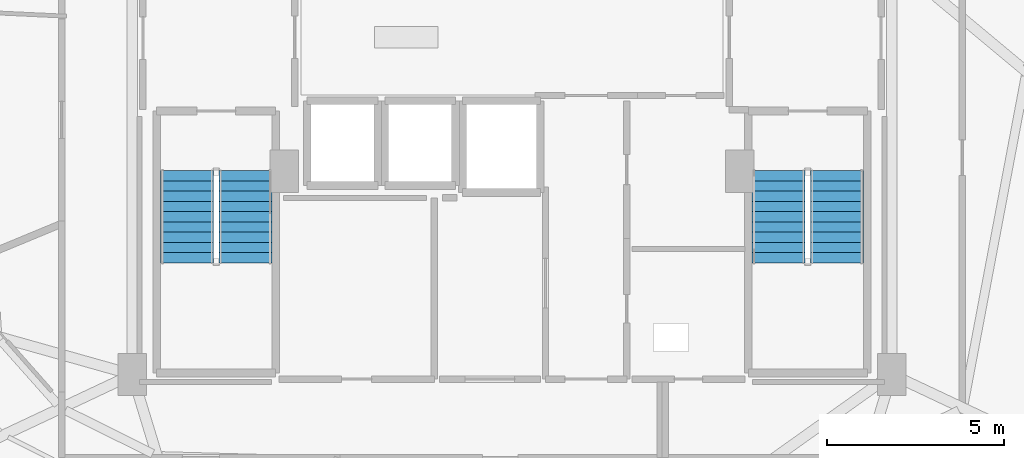
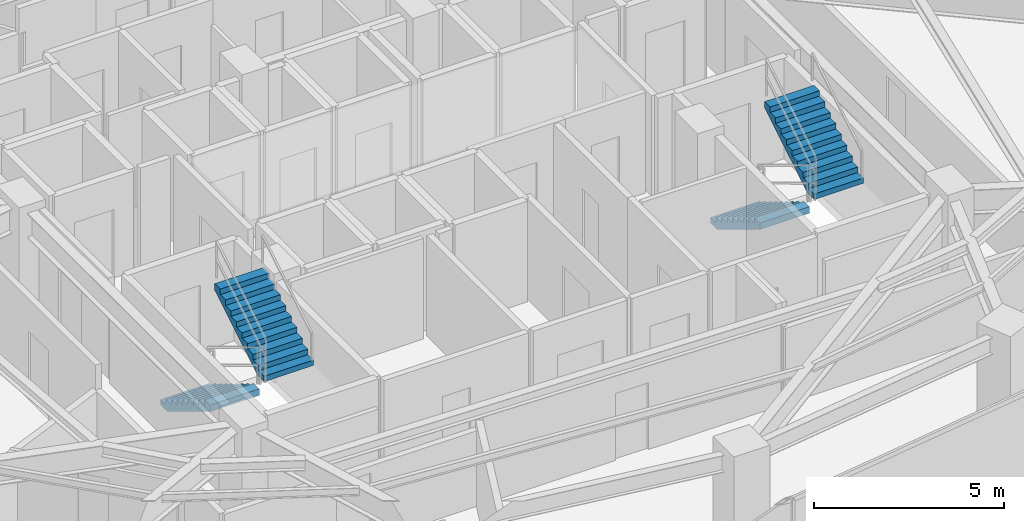
# One storey, part 27 of 30: 4 stair flights, 2 elements without a shape of their own.
"""IFC4 building model written with IfcOpenShell, lengths in metres."""

from ifc_helpers import new_model, si_unit, direction, frame, origin, place, context, subcontext, project, spatial, polyline, outline, extrude, material, type_object, element, aggregate, save


model = new_model("IFC4")

# Units and contexts
model_context = context("Model", 3, precision=1e-05, world=origin(), true_north=direction((0.0, 1.0)))
body_context = subcontext(model_context, "Body", "Model", "MODEL_VIEW")
ifc_project = project(units=[si_unit("LENGTHUNIT", "METRE"), si_unit("AREAUNIT", "SQUARE_METRE"), si_unit("VOLUMEUNIT", "CUBIC_METRE"), si_unit("PLANEANGLEUNIT", "RADIAN"), si_unit("MASSUNIT", "GRAM", prefix="KILO")], contexts=[model_context])

# Site, building, storey
site_placement = place(None, origin())
site = spatial("IfcSite", under=ifc_project, at=site_placement, CompositionType="ELEMENT")
building_placement = place(site_placement, origin())
building = spatial("IfcBuilding", under=site, at=building_placement, Name="Vorneva Point Tower", CompositionType="ELEMENT")
storey_placement = place(building_placement, frame((0.0, 0.0, 106.800048828125)))
storey = spatial("IfcBuildingStorey", under=building, at=storey_placement, Name="L28", CompositionType="ELEMENT", Elevation=106.800048828125)

# Stair, stair flights
ifc_material = material(Name="Concrete B50 (C40/50)", Category="concrete")
stair_type = type_object("IfcStairType", Name="ST-DOG-1500", PredefinedType="HALF_TURN_STAIR", material=ifc_material)
stair_1_placement = place(storey_placement, origin())
stair_1 = element("IfcStair", 1, at=stair_1_placement, inside=storey, type_object=stair_type, Name="L28 ST1", PredefinedType="HALF_TURN_STAIR")
stair_flight_type = type_object("IfcStairFlightType", Name="STF-1500", PredefinedType="STRAIGHT", material=ifc_material)
stair_flight_1_placement = place(storey_placement, frame((28.800048828125, 22.219970703125, 0.0), z_axis=(0.0, 0.0, 1.0), x_axis=(0.0, -1.0, 0.0)))
stair_flight_1 = element("IfcStairFlight", 2, at=stair_flight_1_placement, type_object=stair_flight_type, Name="ST1 flight 1", NumberOfRisers=10, NumberOfTreads=9, PredefinedType="STRAIGHT", RiserHeight=0.175, TreadLength=0.29, context=body_context, shape_type="SweptSolid", body=[
    extrude(outline(polyline([(0.0, 0.0), (0.0, 0.175048828125), (0.2900390625, 0.175048828125), (0.2900390625, 0.35009765625), (0.580078125, 0.35009765625), (0.580078125, 0.52490234375), (0.8701171875, 0.52490234375), (0.8701171875, 0.699951171875), (1.159912109375, 0.699951171875), (1.159912109375, 0.875), (1.449951171875, 0.875), (1.449951171875, 1.050048828125), (1.739990234375, 1.050048828125), (1.739990234375, 1.22509765625), (2.030029296875, 1.22509765625), (2.030029296875, 1.39990234375), (2.320068359375, 1.39990234375), (2.320068359375, 1.574951171875), (2.610107421875, 1.574951171875), (2.610107421875, 1.75), (2.610107421875, 1.36474609375), (0.34814453125, 0.0), (0.0, 0.0)])), frame((0.0, 0.75, 0.0), z_axis=(0.0, -1.0, 0.0), x_axis=(1.0, 0.0, 0.0)), (0.0, 0.0, 1.0), 1.5),
])
stair_flight_2_placement = place(storey_placement, frame((30.449951171875, 19.610107421875, 1.75), z_axis=(0.0, 0.0, 1.0), x_axis=(0.0, 1.0, 0.0)))
stair_flight_2 = element("IfcStairFlight", 3, at=stair_flight_2_placement, type_object=stair_flight_type, Name="ST1 flight 2", NumberOfRisers=10, NumberOfTreads=9, PredefinedType="STRAIGHT", RiserHeight=0.175, TreadLength=0.29, context=body_context, shape_type="SweptSolid", body=[
    extrude(outline(polyline([(0.0, 0.0), (0.0, 0.175048828125), (0.2900390625, 0.175048828125), (0.2900390625, 0.35009765625), (0.580078125, 0.35009765625), (0.580078125, 0.52490234375), (0.8701171875, 0.52490234375), (0.8701171875, 0.699951171875), (1.159912109375, 0.699951171875), (1.159912109375, 0.875), (1.449951171875, 0.875), (1.449951171875, 1.050048828125), (1.739990234375, 1.050048828125), (1.739990234375, 1.22509765625), (2.030029296875, 1.22509765625), (2.030029296875, 1.39990234375), (2.320068359375, 1.39990234375), (2.320068359375, 1.574951171875), (2.610107421875, 1.574951171875), (2.610107421875, 1.75), (2.610107421875, 1.36474609375), (0.34814453125, 0.0), (0.0, 0.0)])), frame((0.0, 0.75, 0.0), z_axis=(0.0, -1.0, 0.0), x_axis=(1.0, 0.0, 0.0)), (0.0, 0.0, 1.0), 1.5),
])
aggregate(stair_1, [stair_flight_1, stair_flight_2])

stair_2_placement = place(storey_placement, origin())
stair_2 = element("IfcStair", 4, at=stair_2_placement, inside=storey, type_object=stair_type, Name="L28 ST2", PredefinedType="HALF_TURN_STAIR")
stair_flight_3_placement = place(storey_placement, frame((45.550048828125, 22.219970703125, 0.0), z_axis=(0.0, 0.0, 1.0), x_axis=(0.0, -1.0, 0.0)))
stair_flight_3 = element("IfcStairFlight", 5, at=stair_flight_3_placement, type_object=stair_flight_type, Name="ST2 flight 1", NumberOfRisers=10, NumberOfTreads=9, PredefinedType="STRAIGHT", RiserHeight=0.175, TreadLength=0.29, context=body_context, shape_type="SweptSolid", body=[
    extrude(outline(polyline([(0.0, 0.0), (0.0, 0.175048828125), (0.2900390625, 0.175048828125), (0.2900390625, 0.35009765625), (0.580078125, 0.35009765625), (0.580078125, 0.52490234375), (0.8701171875, 0.52490234375), (0.8701171875, 0.699951171875), (1.159912109375, 0.699951171875), (1.159912109375, 0.875), (1.449951171875, 0.875), (1.449951171875, 1.050048828125), (1.739990234375, 1.050048828125), (1.739990234375, 1.22509765625), (2.030029296875, 1.22509765625), (2.030029296875, 1.39990234375), (2.320068359375, 1.39990234375), (2.320068359375, 1.574951171875), (2.610107421875, 1.574951171875), (2.610107421875, 1.75), (2.610107421875, 1.36474609375), (0.34814453125, 0.0), (0.0, 0.0)])), frame((0.0, 0.75, 0.0), z_axis=(0.0, -1.0, 0.0), x_axis=(1.0, 0.0, 0.0)), (0.0, 0.0, 1.0), 1.5),
])
stair_flight_4_placement = place(storey_placement, frame((47.199951171875, 19.610107421875, 1.75), z_axis=(0.0, 0.0, 1.0), x_axis=(0.0, 1.0, 0.0)))
stair_flight_4 = element("IfcStairFlight", 6, at=stair_flight_4_placement, type_object=stair_flight_type, Name="ST2 flight 2", NumberOfRisers=10, NumberOfTreads=9, PredefinedType="STRAIGHT", RiserHeight=0.175, TreadLength=0.29, context=body_context, shape_type="SweptSolid", body=[
    extrude(outline(polyline([(0.0, 0.0), (0.0, 0.175048828125), (0.2900390625, 0.175048828125), (0.2900390625, 0.35009765625), (0.580078125, 0.35009765625), (0.580078125, 0.52490234375), (0.8701171875, 0.52490234375), (0.8701171875, 0.699951171875), (1.159912109375, 0.699951171875), (1.159912109375, 0.875), (1.449951171875, 0.875), (1.449951171875, 1.050048828125), (1.739990234375, 1.050048828125), (1.739990234375, 1.22509765625), (2.030029296875, 1.22509765625), (2.030029296875, 1.39990234375), (2.320068359375, 1.39990234375), (2.320068359375, 1.574951171875), (2.610107421875, 1.574951171875), (2.610107421875, 1.75), (2.610107421875, 1.36474609375), (0.34814453125, 0.0), (0.0, 0.0)])), frame((0.0, 0.75, 0.0), z_axis=(0.0, -1.0, 0.0), x_axis=(1.0, 0.0, 0.0)), (0.0, 0.0, 1.0), 1.5),
])
aggregate(stair_2, [stair_flight_3, stair_flight_4])

save(model, "model.ifc")
